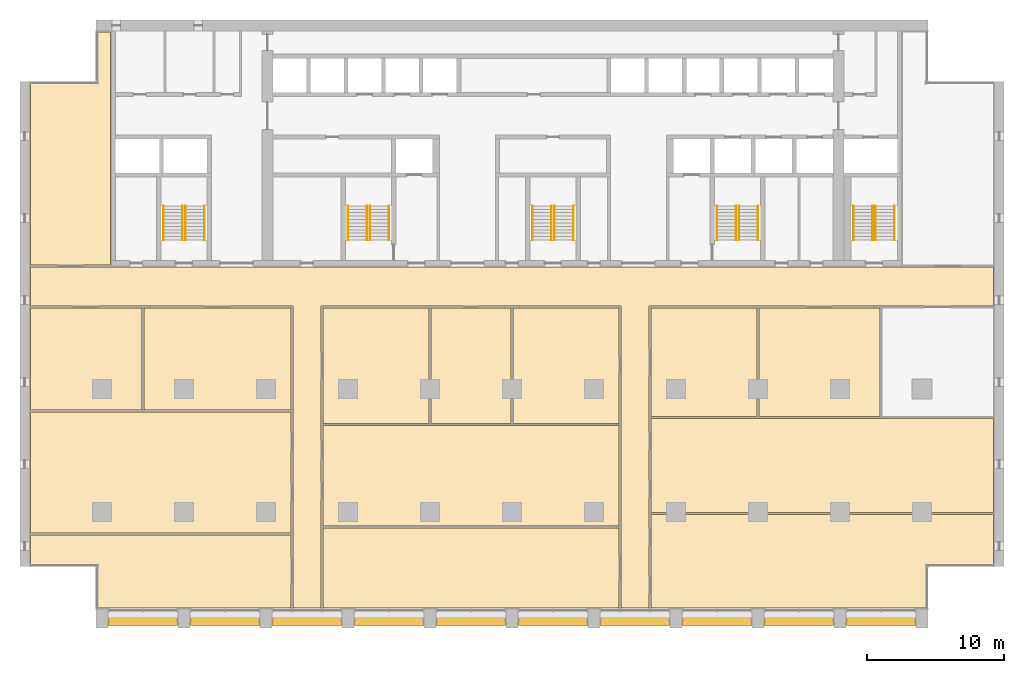
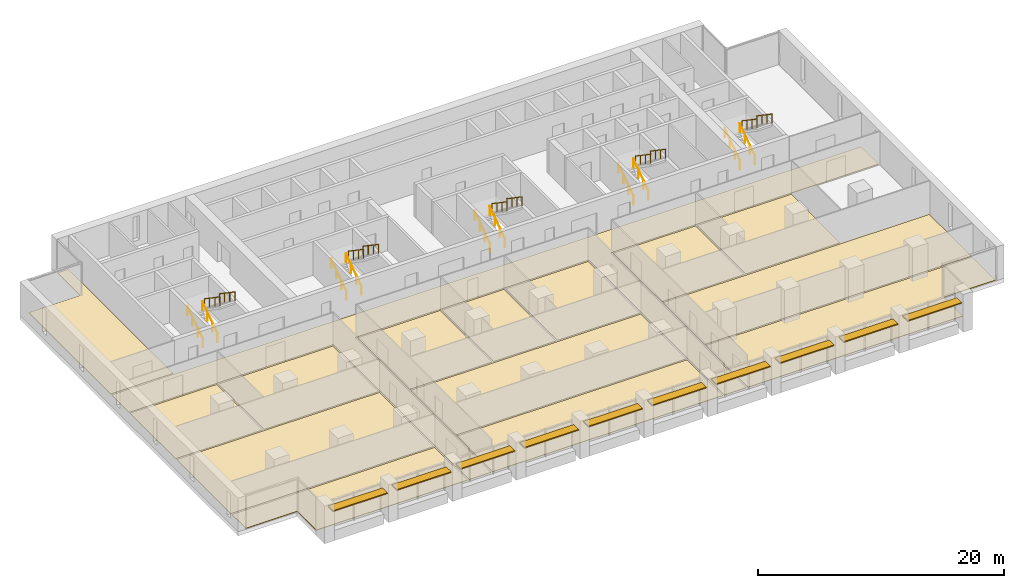
# One storey, part 16 of 17: 20 railings, 15 coverings, 10 shading devices, 5 elements without a shape of their own.
"""IFC4 building model written with IfcOpenShell, lengths in metres."""

from ifc_helpers import new_model, si_unit, direction, frame, origin, origin_2d, place, context, subcontext, project, spatial, polyline, rectangle, circle, outline, extrude, material, layer, layer_set, material_profile, profile_set, type_object, element, aggregate, save


model = new_model("IFC4")

# Units and contexts
model_context = context("Model", 3, precision=1e-05, world=origin(), true_north=direction((0.0, 1.0)))
body_context = subcontext(model_context, "Body", "Model", "MODEL_VIEW")
ifc_project = project(units=[si_unit("LENGTHUNIT", "METRE"), si_unit("AREAUNIT", "SQUARE_METRE"), si_unit("VOLUMEUNIT", "CUBIC_METRE"), si_unit("PLANEANGLEUNIT", "RADIAN"), si_unit("MASSUNIT", "GRAM", prefix="KILO")], contexts=[model_context])

# Site, building, storey
site_placement = place(None, origin())
site = spatial("IfcSite", under=ifc_project, at=site_placement, CompositionType="ELEMENT")
building_placement = place(site_placement, origin())
building = spatial("IfcBuilding", under=site, at=building_placement, Name="Calvaro Tower", CompositionType="ELEMENT")
storey_placement = place(building_placement, frame((0.0, 0.0, 98.75)))
storey = spatial("IfcBuildingStorey", under=building, at=storey_placement, Name="L24", CompositionType="ELEMENT", Elevation=98.75)

# Shading devices
ifc_material_1 = material(Name="Anodised aluminium", Category="aluminium")
ifc_material_profile = material_profile(ifc_material_1, rectangle(XDim=0.800048828125, YDim=0.10009765625, at=origin_2d()), Name="Brise-soleil blade 800 x 100")
ifc_profile_set = profile_set([ifc_material_profile], Name="Anodised aluminium")
shading_device_type = type_object("IfcShadingDeviceType", Name="Brise-soleil blade 800 x 100", PredefinedType="JALOUSIE", material=ifc_profile_set)
for number, where, z_axis, x_axis, name in (
    (1, (6.449951171875, 2.10009765625, 2.39990234375), (1.0, 0.0, 0.0), (0.0, 1.0, 0.0), "Brise-soleil blade 1"),
    (2, (12.449951171875, 2.10009765625, 2.39990234375), (1.0, 0.0, 0.0), (0.0, 1.0, 0.0), "Brise-soleil blade 2"),
    (3, (18.449951171875, 2.10009765625, 2.39990234375), (1.0, 0.0, 0.0), (0.0, 1.0, 0.0), "Brise-soleil blade 3"),
    (4, (24.449951171875, 2.10009765625, 2.39990234375), (1.0, 0.0, 0.0), (0.0, 1.0, 0.0), "Brise-soleil blade 4"),
    (5, (30.449951171875, 2.10009765625, 2.39990234375), (1.0, 0.0, 0.0), (0.0, 1.0, 0.0), "Brise-soleil blade 5"),
    (6, (36.449951171875, 2.10009765625, 2.39990234375), (1.0, 0.0, 0.0), (0.0, 1.0, 0.0), "Brise-soleil blade 6"),
    (7, (42.449951171875, 2.10009765625, 2.39990234375), (1.0, 0.0, 0.0), (0.0, 1.0, 0.0), "Brise-soleil blade 7"),
    (8, (48.449951171875, 2.10009765625, 2.39990234375), (1.0, 0.0, 0.0), (0.0, 1.0, 0.0), "Brise-soleil blade 8"),
    (9, (54.449951171875, 2.10009765625, 2.39990234375), (1.0, 0.0, 0.0), (0.0, 1.0, 0.0), "Brise-soleil blade 9"),
    (10, (60.449951171875, 2.10009765625, 2.39990234375), (1.0, 0.0, 0.0), (0.0, 1.0, 0.0), "Brise-soleil blade 10"),
):
    element("IfcShadingDevice", number, at=place(storey_placement, frame(where, z_axis=z_axis, x_axis=x_axis)), inside=storey, type_object=shading_device_type, Name=name, PredefinedType="JALOUSIE", context=body_context, shape_type="SweptSolid", body=[
        extrude(rectangle(XDim=0.800048828125, YDim=0.10009765625, at=origin_2d()), origin(), (0.0, 0.0, 1.0), 5.10009765625),
    ])

# Coverings
ifc_material_2 = material(Name="Cement screed with carpet tile finish")
ifc_layer = layer(ifc_material_2, 0.050048828125)
ifc_layer_set = layer_set([ifc_layer], Name="Cement screed with carpet tile finish")
covering_type = type_object("IfcCoveringType", Name="Floor finish 50", PredefinedType="FLOORING", material=ifc_layer_set)
covering_1_placement = place(storey_placement, origin())
element("IfcCovering", 11, at=covering_1_placement, inside=storey, type_object=covering_type, Name="Floor finish 16.01", PredefinedType="FLOORING", context=body_context, shape_type="SweptSolid", body=[
    extrude(outline(polyline([(19.969970703125, 2.969970703125), (19.969970703125, 25.070068359375), (0.77001953125, 25.070068359375), (0.77001953125, 27.929931640625), (71.22998046875, 27.929931640625), (71.22998046875, 25.070068359375), (46.030029296875, 25.070068359375), (46.030029296875, 2.969970703125), (43.969970703125, 2.969970703125), (43.969970703125, 25.070068359375), (22.030029296875, 25.070068359375), (22.030029296875, 2.969970703125), (19.969970703125, 2.969970703125)])), origin(), (0.0, 0.0, 1.0), 0.050048828125),
])
covering_2_placement = place(storey_placement, origin())
element("IfcCovering", 12, at=covering_2_placement, inside=storey, type_object=covering_type, Name="Floor finish 16.02", PredefinedType="FLOORING", context=body_context, shape_type="SweptSolid", body=[
    extrude(outline(polyline([(19.830078125, 8.330078125), (19.830078125, 2.969970703125), (5.6201171875, 2.969970703125), (5.6201171875, 6.070068359375), (0.77001953125, 6.070068359375), (0.77001953125, 8.330078125), (19.830078125, 8.330078125)])), origin(), (0.0, 0.0, 1.0), 0.050048828125),
])
covering_3_placement = place(storey_placement, origin())
element("IfcCovering", 13, at=covering_3_placement, inside=storey, type_object=covering_type, Name="Floor finish 16.06", PredefinedType="FLOORING", context=body_context, shape_type="SweptSolid", body=[
    extrude(outline(polyline([(19.830078125, 17.330078125), (19.830078125, 8.469970703125), (0.77001953125, 8.469970703125), (0.77001953125, 17.330078125), (19.830078125, 17.330078125)])), origin(), (0.0, 0.0, 1.0), 0.050048828125),
])
covering_4_placement = place(storey_placement, origin())
element("IfcCovering", 14, at=covering_4_placement, inside=storey, type_object=covering_type, Name="Floor finish 16.14", PredefinedType="FLOORING", context=body_context, shape_type="SweptSolid", body=[
    extrude(outline(polyline([(8.929931640625, 24.929931640625), (8.929931640625, 17.469970703125), (0.77001953125, 17.469970703125), (0.77001953125, 24.929931640625), (8.929931640625, 24.929931640625)])), origin(), (0.0, 0.0, 1.0), 0.050048828125),
])
covering_5_placement = place(storey_placement, origin())
element("IfcCovering", 15, at=covering_5_placement, inside=storey, type_object=covering_type, Name="Floor finish 16.15", PredefinedType="FLOORING", context=body_context, shape_type="SweptSolid", body=[
    extrude(outline(polyline([(9.070068359375, 17.469970703125), (9.070068359375, 24.929931640625), (19.830078125, 24.929931640625), (19.830078125, 17.469970703125), (9.070068359375, 17.469970703125)])), origin(), (0.0, 0.0, 1.0), 0.050048828125),
])
covering_6_placement = place(storey_placement, origin())
element("IfcCovering", 16, at=covering_6_placement, inside=storey, type_object=covering_type, Name="Floor finish 16.03", PredefinedType="FLOORING", context=body_context, shape_type="SweptSolid", body=[
    extrude(outline(polyline([(22.169921875, 8.830078125), (43.830078125, 8.830078125), (43.830078125, 2.969970703125), (22.169921875, 2.969970703125), (22.169921875, 8.830078125)])), origin(), (0.0, 0.0, 1.0), 0.050048828125),
])
covering_7_placement = place(storey_placement, origin())
element("IfcCovering", 17, at=covering_7_placement, inside=storey, type_object=covering_type, Name="Floor finish 16.05", PredefinedType="FLOORING", context=body_context, shape_type="SweptSolid", body=[
    extrude(outline(polyline([(22.169921875, 8.969970703125), (22.169921875, 16.330078125), (43.830078125, 16.330078125), (43.830078125, 8.969970703125), (22.169921875, 8.969970703125)])), origin(), (0.0, 0.0, 1.0), 0.050048828125),
])
covering_8_placement = place(storey_placement, origin())
element("IfcCovering", 18, at=covering_8_placement, inside=storey, type_object=covering_type, Name="Floor finish 16.08", PredefinedType="FLOORING", context=body_context, shape_type="SweptSolid", body=[
    extrude(outline(polyline([(22.169921875, 16.469970703125), (22.169921875, 24.929931640625), (29.929931640625, 24.929931640625), (29.929931640625, 16.469970703125), (22.169921875, 16.469970703125)])), origin(), (0.0, 0.0, 1.0), 0.050048828125),
])
covering_9_placement = place(storey_placement, origin())
element("IfcCovering", 19, at=covering_9_placement, inside=storey, type_object=covering_type, Name="Floor finish 16.09", PredefinedType="FLOORING", context=body_context, shape_type="SweptSolid", body=[
    extrude(outline(polyline([(30.070068359375, 16.469970703125), (30.070068359375, 24.929931640625), (35.929931640625, 24.929931640625), (35.929931640625, 16.469970703125), (30.070068359375, 16.469970703125)])), origin(), (0.0, 0.0, 1.0), 0.050048828125),
])
covering_10_placement = place(storey_placement, origin())
element("IfcCovering", 20, at=covering_10_placement, inside=storey, type_object=covering_type, Name="Floor finish 16.10", PredefinedType="FLOORING", context=body_context, shape_type="SweptSolid", body=[
    extrude(outline(polyline([(36.070068359375, 16.469970703125), (36.070068359375, 24.929931640625), (43.830078125, 24.929931640625), (43.830078125, 16.469970703125), (36.070068359375, 16.469970703125)])), origin(), (0.0, 0.0, 1.0), 0.050048828125),
])
covering_11_placement = place(storey_placement, origin())
element("IfcCovering", 21, at=covering_11_placement, inside=storey, type_object=covering_type, Name="Floor finish 16.04", PredefinedType="FLOORING", context=body_context, shape_type="SweptSolid", body=[
    extrude(outline(polyline([(71.22998046875, 6.070068359375), (66.3798828125, 6.070068359375), (66.3798828125, 2.969970703125), (46.169921875, 2.969970703125), (46.169921875, 9.830078125), (71.22998046875, 9.830078125), (71.22998046875, 6.070068359375)])), origin(), (0.0, 0.0, 1.0), 0.050048828125),
])
covering_12_placement = place(storey_placement, origin())
element("IfcCovering", 22, at=covering_12_placement, inside=storey, type_object=covering_type, Name="Floor finish 16.07", PredefinedType="FLOORING", context=body_context, shape_type="SweptSolid", body=[
    extrude(outline(polyline([(71.22998046875, 9.969970703125), (46.169921875, 9.969970703125), (46.169921875, 16.830078125), (71.22998046875, 16.830078125), (71.22998046875, 9.969970703125)])), origin(), (0.0, 0.0, 1.0), 0.050048828125),
])
covering_13_placement = place(storey_placement, origin())
element("IfcCovering", 23, at=covering_13_placement, inside=storey, type_object=covering_type, Name="Floor finish 16.11", PredefinedType="FLOORING", context=body_context, shape_type="SweptSolid", body=[
    extrude(outline(polyline([(46.169921875, 16.969970703125), (46.169921875, 24.929931640625), (53.929931640625, 24.929931640625), (53.929931640625, 16.969970703125), (46.169921875, 16.969970703125)])), origin(), (0.0, 0.0, 1.0), 0.050048828125),
])
covering_14_placement = place(storey_placement, origin())
element("IfcCovering", 24, at=covering_14_placement, inside=storey, type_object=covering_type, Name="Floor finish 16.12", PredefinedType="FLOORING", context=body_context, shape_type="SweptSolid", body=[
    extrude(outline(polyline([(54.070068359375, 16.969970703125), (54.070068359375, 24.929931640625), (62.929931640625, 24.929931640625), (62.929931640625, 16.969970703125), (54.070068359375, 16.969970703125)])), origin(), (0.0, 0.0, 1.0), 0.050048828125),
])
covering_15_placement = place(storey_placement, origin())
element("IfcCovering", 25, at=covering_15_placement, inside=storey, type_object=covering_type, Name="Floor finish 16.16", PredefinedType="FLOORING", context=body_context, shape_type="SweptSolid", body=[
    extrude(outline(polyline([(6.6298828125, 28.070068359375), (0.77001953125, 28.070068359375), (0.77001953125, 41.429931640625), (5.6201171875, 41.429931640625), (5.6201171875, 45.1298828125), (6.6298828125, 45.1298828125), (6.6298828125, 28.070068359375)])), origin(), (0.0, 0.0, 1.0), 0.050048828125),
])

# Stair, railings
ifc_material_3 = material(Name="Concrete C40/50", Category="concrete")
stair_type = type_object("IfcStairType", Name="Exit stair 1400 2 flights", PredefinedType="HALF_TURN_STAIR", material=ifc_material_3)
stair_1_placement = place(storey_placement, origin())
stair_1 = element("IfcStair", 26, at=stair_1_placement, inside=storey, type_object=stair_type, Name="Exit stair S1", PredefinedType="HALF_TURN_STAIR")
ifc_material_4 = material(Name="Stainless steel", Category="steel")
railing_type = type_object("IfcRailingType", Name="Stair handrail", PredefinedType="HANDRAIL", material=ifc_material_4)
railing_1_placement = place(storey_placement, frame((11.89990234375, 29.89990234375, 0.17041015625)))
railing_1 = element("IfcRailing", 27, at=railing_1_placement, type_object=railing_type, Name="Exit stair 1 handrail", PredefinedType="HANDRAIL", context=body_context, shape_type="SweptSolid", body=[
    extrude(circle(Radius=0.02392578125, at=origin_2d()), frame((0.0, 0.0, 0.8759765625), z_axis=(0.0, 0.826220514629, 0.563346839174), x_axis=(-1.0, 0.0, 0.0)), (0.0, 0.0, 1.0), 3.02587890625),
    extrude(circle(Radius=0.02099609375, at=origin_2d()), frame((0.0, 0.017333984375, 0.01171875)), (0.0, 0.0, 1.0), 0.851806640625),
    extrude(circle(Radius=0.02099609375, at=origin_2d()), frame((0.0, 0.833251953125, 0.568115234375)), (0.0, 0.0, 1.0), 0.851806640625),
    extrude(circle(Radius=0.02099609375, at=origin_2d()), frame((0.0, 1.666748046875, 1.136474609375)), (0.0, 0.0, 1.0), 0.851806640625),
    extrude(circle(Radius=0.02099609375, at=origin_2d()), frame((0.0, 2.482666015625, 1.69287109375)), (0.0, 0.0, 1.0), 0.851806640625),
])
railing_2_placement = place(storey_placement, frame((10.5, 29.89990234375, 0.17041015625)))
railing_2 = element("IfcRailing", 28, at=railing_2_placement, type_object=railing_type, Name="Exit stair 1 handrail", PredefinedType="HANDRAIL", context=body_context, shape_type="SweptSolid", body=[
    extrude(circle(Radius=0.02392578125, at=origin_2d()), frame((0.0, 0.0, 0.8759765625), z_axis=(0.0, 0.826220514629, 0.563346839174), x_axis=(-1.0, 0.0, 0.0)), (0.0, 0.0, 1.0), 3.02587890625),
    extrude(circle(Radius=0.02099609375, at=origin_2d()), frame((0.0, 0.017333984375, 0.01171875)), (0.0, 0.0, 1.0), 0.851806640625),
    extrude(circle(Radius=0.02099609375, at=origin_2d()), frame((0.0, 0.833251953125, 0.568115234375)), (0.0, 0.0, 1.0), 0.851806640625),
    extrude(circle(Radius=0.02099609375, at=origin_2d()), frame((0.0, 1.666748046875, 1.136474609375)), (0.0, 0.0, 1.0), 0.851806640625),
    extrude(circle(Radius=0.02099609375, at=origin_2d()), frame((0.0, 2.482666015625, 1.69287109375)), (0.0, 0.0, 1.0), 0.851806640625),
])
railing_3_placement = place(storey_placement, frame((12.10009765625, 32.39990234375, 2.04541015625)))
railing_3 = element("IfcRailing", 29, at=railing_3_placement, type_object=railing_type, Name="Exit stair 1 handrail", PredefinedType="HANDRAIL", context=body_context, shape_type="SweptSolid", body=[
    extrude(circle(Radius=0.02392578125, at=origin_2d()), frame((0.0, 0.0, 0.8759765625), z_axis=(0.0, -0.826220514629, 0.563346839174), x_axis=(1.0, 0.0, 0.0)), (0.0, 0.0, 1.0), 3.02587890625),
    extrude(circle(Radius=0.02099609375, at=origin_2d()), frame((0.0, -0.017333984375, 0.01171875)), (0.0, 0.0, 1.0), 0.851806640625),
    extrude(circle(Radius=0.02099609375, at=origin_2d()), frame((0.0, -0.833251953125, 0.568115234375)), (0.0, 0.0, 1.0), 0.851806640625),
    extrude(circle(Radius=0.02099609375, at=origin_2d()), frame((0.0, -1.666748046875, 1.136474609375)), (0.0, 0.0, 1.0), 0.851806640625),
    extrude(circle(Radius=0.02099609375, at=origin_2d()), frame((0.0, -2.482666015625, 1.69287109375)), (0.0, 0.0, 1.0), 0.851806640625),
])
railing_4_placement = place(storey_placement, frame((13.5, 32.39990234375, 2.04541015625)))
railing_4 = element("IfcRailing", 30, at=railing_4_placement, type_object=railing_type, Name="Exit stair 1 handrail", PredefinedType="HANDRAIL", context=body_context, shape_type="SweptSolid", body=[
    extrude(circle(Radius=0.02392578125, at=origin_2d()), frame((0.0, 0.0, 0.8759765625), z_axis=(0.0, -0.826220514629, 0.563346839174), x_axis=(1.0, 0.0, 0.0)), (0.0, 0.0, 1.0), 3.02587890625),
    extrude(circle(Radius=0.02099609375, at=origin_2d()), frame((0.0, -0.017333984375, 0.01171875)), (0.0, 0.0, 1.0), 0.851806640625),
    extrude(circle(Radius=0.02099609375, at=origin_2d()), frame((0.0, -0.833251953125, 0.568115234375)), (0.0, 0.0, 1.0), 0.851806640625),
    extrude(circle(Radius=0.02099609375, at=origin_2d()), frame((0.0, -1.666748046875, 1.136474609375)), (0.0, 0.0, 1.0), 0.851806640625),
    extrude(circle(Radius=0.02099609375, at=origin_2d()), frame((0.0, -2.482666015625, 1.69287109375)), (0.0, 0.0, 1.0), 0.851806640625),
])
aggregate(stair_1, [railing_1, railing_2, railing_3, railing_4])

stair_2_placement = place(storey_placement, origin())
stair_2 = element("IfcStair", 31, at=stair_2_placement, inside=storey, type_object=stair_type, Name="Exit stair S2", PredefinedType="HALF_TURN_STAIR")
railing_5_placement = place(storey_placement, frame((25.39990234375, 29.89990234375, 0.17041015625)))
railing_5 = element("IfcRailing", 32, at=railing_5_placement, type_object=railing_type, Name="Exit stair 2 handrail", PredefinedType="HANDRAIL", context=body_context, shape_type="SweptSolid", body=[
    extrude(circle(Radius=0.02392578125, at=origin_2d()), frame((0.0, 0.0, 0.8759765625), z_axis=(0.0, 0.826220514629, 0.563346839174), x_axis=(-1.0, 0.0, 0.0)), (0.0, 0.0, 1.0), 3.02587890625),
    extrude(circle(Radius=0.02099609375, at=origin_2d()), frame((0.0, 0.017333984375, 0.01171875)), (0.0, 0.0, 1.0), 0.851806640625),
    extrude(circle(Radius=0.02099609375, at=origin_2d()), frame((0.0, 0.833251953125, 0.568115234375)), (0.0, 0.0, 1.0), 0.851806640625),
    extrude(circle(Radius=0.02099609375, at=origin_2d()), frame((0.0, 1.666748046875, 1.136474609375)), (0.0, 0.0, 1.0), 0.851806640625),
    extrude(circle(Radius=0.02099609375, at=origin_2d()), frame((0.0, 2.482666015625, 1.69287109375)), (0.0, 0.0, 1.0), 0.851806640625),
])
railing_6_placement = place(storey_placement, frame((24.0, 29.89990234375, 0.17041015625)))
railing_6 = element("IfcRailing", 33, at=railing_6_placement, type_object=railing_type, Name="Exit stair 2 handrail", PredefinedType="HANDRAIL", context=body_context, shape_type="SweptSolid", body=[
    extrude(circle(Radius=0.02392578125, at=origin_2d()), frame((0.0, 0.0, 0.8759765625), z_axis=(0.0, 0.826220514629, 0.563346839174), x_axis=(-1.0, 0.0, 0.0)), (0.0, 0.0, 1.0), 3.02587890625),
    extrude(circle(Radius=0.02099609375, at=origin_2d()), frame((0.0, 0.017333984375, 0.01171875)), (0.0, 0.0, 1.0), 0.851806640625),
    extrude(circle(Radius=0.02099609375, at=origin_2d()), frame((0.0, 0.833251953125, 0.568115234375)), (0.0, 0.0, 1.0), 0.851806640625),
    extrude(circle(Radius=0.02099609375, at=origin_2d()), frame((0.0, 1.666748046875, 1.136474609375)), (0.0, 0.0, 1.0), 0.851806640625),
    extrude(circle(Radius=0.02099609375, at=origin_2d()), frame((0.0, 2.482666015625, 1.69287109375)), (0.0, 0.0, 1.0), 0.851806640625),
])
railing_7_placement = place(storey_placement, frame((25.60009765625, 32.39990234375, 2.04541015625)))
railing_7 = element("IfcRailing", 34, at=railing_7_placement, type_object=railing_type, Name="Exit stair 2 handrail", PredefinedType="HANDRAIL", context=body_context, shape_type="SweptSolid", body=[
    extrude(circle(Radius=0.02392578125, at=origin_2d()), frame((0.0, 0.0, 0.8759765625), z_axis=(0.0, -0.826220514629, 0.563346839174), x_axis=(1.0, 0.0, 0.0)), (0.0, 0.0, 1.0), 3.02587890625),
    extrude(circle(Radius=0.02099609375, at=origin_2d()), frame((0.0, -0.017333984375, 0.01171875)), (0.0, 0.0, 1.0), 0.851806640625),
    extrude(circle(Radius=0.02099609375, at=origin_2d()), frame((0.0, -0.833251953125, 0.568115234375)), (0.0, 0.0, 1.0), 0.851806640625),
    extrude(circle(Radius=0.02099609375, at=origin_2d()), frame((0.0, -1.666748046875, 1.136474609375)), (0.0, 0.0, 1.0), 0.851806640625),
    extrude(circle(Radius=0.02099609375, at=origin_2d()), frame((0.0, -2.482666015625, 1.69287109375)), (0.0, 0.0, 1.0), 0.851806640625),
])
railing_8_placement = place(storey_placement, frame((27.0, 32.39990234375, 2.04541015625)))
railing_8 = element("IfcRailing", 35, at=railing_8_placement, type_object=railing_type, Name="Exit stair 2 handrail", PredefinedType="HANDRAIL", context=body_context, shape_type="SweptSolid", body=[
    extrude(circle(Radius=0.02392578125, at=origin_2d()), frame((0.0, 0.0, 0.8759765625), z_axis=(0.0, -0.826220514629, 0.563346839174), x_axis=(1.0, 0.0, 0.0)), (0.0, 0.0, 1.0), 3.02587890625),
    extrude(circle(Radius=0.02099609375, at=origin_2d()), frame((0.0, -0.017333984375, 0.01171875)), (0.0, 0.0, 1.0), 0.851806640625),
    extrude(circle(Radius=0.02099609375, at=origin_2d()), frame((0.0, -0.833251953125, 0.568115234375)), (0.0, 0.0, 1.0), 0.851806640625),
    extrude(circle(Radius=0.02099609375, at=origin_2d()), frame((0.0, -1.666748046875, 1.136474609375)), (0.0, 0.0, 1.0), 0.851806640625),
    extrude(circle(Radius=0.02099609375, at=origin_2d()), frame((0.0, -2.482666015625, 1.69287109375)), (0.0, 0.0, 1.0), 0.851806640625),
])
aggregate(stair_2, [railing_5, railing_6, railing_7, railing_8])

stair_3_placement = place(storey_placement, origin())
stair_3 = element("IfcStair", 36, at=stair_3_placement, inside=storey, type_object=stair_type, Name="Exit stair S3", PredefinedType="HALF_TURN_STAIR")
railing_9_placement = place(storey_placement, frame((38.89990234375, 29.89990234375, 0.17041015625)))
railing_9 = element("IfcRailing", 37, at=railing_9_placement, type_object=railing_type, Name="Exit stair 3 handrail", PredefinedType="HANDRAIL", context=body_context, shape_type="SweptSolid", body=[
    extrude(circle(Radius=0.02392578125, at=origin_2d()), frame((0.0, 0.0, 0.8759765625), z_axis=(0.0, 0.826220514629, 0.563346839174), x_axis=(-1.0, 0.0, 0.0)), (0.0, 0.0, 1.0), 3.02587890625),
    extrude(circle(Radius=0.02099609375, at=origin_2d()), frame((0.0, 0.017333984375, 0.01171875)), (0.0, 0.0, 1.0), 0.851806640625),
    extrude(circle(Radius=0.02099609375, at=origin_2d()), frame((0.0, 0.833251953125, 0.568115234375)), (0.0, 0.0, 1.0), 0.851806640625),
    extrude(circle(Radius=0.02099609375, at=origin_2d()), frame((0.0, 1.666748046875, 1.136474609375)), (0.0, 0.0, 1.0), 0.851806640625),
    extrude(circle(Radius=0.02099609375, at=origin_2d()), frame((0.0, 2.482666015625, 1.69287109375)), (0.0, 0.0, 1.0), 0.851806640625),
])
railing_10_placement = place(storey_placement, frame((37.5, 29.89990234375, 0.17041015625)))
railing_10 = element("IfcRailing", 38, at=railing_10_placement, type_object=railing_type, Name="Exit stair 3 handrail", PredefinedType="HANDRAIL", context=body_context, shape_type="SweptSolid", body=[
    extrude(circle(Radius=0.02392578125, at=origin_2d()), frame((0.0, 0.0, 0.8759765625), z_axis=(0.0, 0.826220514629, 0.563346839174), x_axis=(-1.0, 0.0, 0.0)), (0.0, 0.0, 1.0), 3.02587890625),
    extrude(circle(Radius=0.02099609375, at=origin_2d()), frame((0.0, 0.017333984375, 0.01171875)), (0.0, 0.0, 1.0), 0.851806640625),
    extrude(circle(Radius=0.02099609375, at=origin_2d()), frame((0.0, 0.833251953125, 0.568115234375)), (0.0, 0.0, 1.0), 0.851806640625),
    extrude(circle(Radius=0.02099609375, at=origin_2d()), frame((0.0, 1.666748046875, 1.136474609375)), (0.0, 0.0, 1.0), 0.851806640625),
    extrude(circle(Radius=0.02099609375, at=origin_2d()), frame((0.0, 2.482666015625, 1.69287109375)), (0.0, 0.0, 1.0), 0.851806640625),
])
railing_11_placement = place(storey_placement, frame((39.10009765625, 32.39990234375, 2.04541015625)))
railing_11 = element("IfcRailing", 39, at=railing_11_placement, type_object=railing_type, Name="Exit stair 3 handrail", PredefinedType="HANDRAIL", context=body_context, shape_type="SweptSolid", body=[
    extrude(circle(Radius=0.02392578125, at=origin_2d()), frame((0.0, 0.0, 0.8759765625), z_axis=(0.0, -0.826220514629, 0.563346839174), x_axis=(1.0, 0.0, 0.0)), (0.0, 0.0, 1.0), 3.02587890625),
    extrude(circle(Radius=0.02099609375, at=origin_2d()), frame((0.0, -0.017333984375, 0.01171875)), (0.0, 0.0, 1.0), 0.851806640625),
    extrude(circle(Radius=0.02099609375, at=origin_2d()), frame((0.0, -0.833251953125, 0.568115234375)), (0.0, 0.0, 1.0), 0.851806640625),
    extrude(circle(Radius=0.02099609375, at=origin_2d()), frame((0.0, -1.666748046875, 1.136474609375)), (0.0, 0.0, 1.0), 0.851806640625),
    extrude(circle(Radius=0.02099609375, at=origin_2d()), frame((0.0, -2.482666015625, 1.69287109375)), (0.0, 0.0, 1.0), 0.851806640625),
])
railing_12_placement = place(storey_placement, frame((40.5, 32.39990234375, 2.04541015625)))
railing_12 = element("IfcRailing", 40, at=railing_12_placement, type_object=railing_type, Name="Exit stair 3 handrail", PredefinedType="HANDRAIL", context=body_context, shape_type="SweptSolid", body=[
    extrude(circle(Radius=0.02392578125, at=origin_2d()), frame((0.0, 0.0, 0.8759765625), z_axis=(0.0, -0.826220514629, 0.563346839174), x_axis=(1.0, 0.0, 0.0)), (0.0, 0.0, 1.0), 3.02587890625),
    extrude(circle(Radius=0.02099609375, at=origin_2d()), frame((0.0, -0.017333984375, 0.01171875)), (0.0, 0.0, 1.0), 0.851806640625),
    extrude(circle(Radius=0.02099609375, at=origin_2d()), frame((0.0, -0.833251953125, 0.568115234375)), (0.0, 0.0, 1.0), 0.851806640625),
    extrude(circle(Radius=0.02099609375, at=origin_2d()), frame((0.0, -1.666748046875, 1.136474609375)), (0.0, 0.0, 1.0), 0.851806640625),
    extrude(circle(Radius=0.02099609375, at=origin_2d()), frame((0.0, -2.482666015625, 1.69287109375)), (0.0, 0.0, 1.0), 0.851806640625),
])
aggregate(stair_3, [railing_9, railing_10, railing_11, railing_12])

stair_4_placement = place(storey_placement, origin())
stair_4 = element("IfcStair", 41, at=stair_4_placement, inside=storey, type_object=stair_type, Name="Exit stair S4", PredefinedType="HALF_TURN_STAIR")
railing_13_placement = place(storey_placement, frame((52.39990234375, 29.89990234375, 0.17041015625)))
railing_13 = element("IfcRailing", 42, at=railing_13_placement, type_object=railing_type, Name="Exit stair 4 handrail", PredefinedType="HANDRAIL", context=body_context, shape_type="SweptSolid", body=[
    extrude(circle(Radius=0.02392578125, at=origin_2d()), frame((0.0, 0.0, 0.8759765625), z_axis=(0.0, 0.826220514629, 0.563346839174), x_axis=(-1.0, 0.0, 0.0)), (0.0, 0.0, 1.0), 3.02587890625),
    extrude(circle(Radius=0.02099609375, at=origin_2d()), frame((0.0, 0.017333984375, 0.01171875)), (0.0, 0.0, 1.0), 0.851806640625),
    extrude(circle(Radius=0.02099609375, at=origin_2d()), frame((0.0, 0.833251953125, 0.568115234375)), (0.0, 0.0, 1.0), 0.851806640625),
    extrude(circle(Radius=0.02099609375, at=origin_2d()), frame((0.0, 1.666748046875, 1.136474609375)), (0.0, 0.0, 1.0), 0.851806640625),
    extrude(circle(Radius=0.02099609375, at=origin_2d()), frame((0.0, 2.482666015625, 1.69287109375)), (0.0, 0.0, 1.0), 0.851806640625),
])
railing_14_placement = place(storey_placement, frame((51.0, 29.89990234375, 0.17041015625)))
railing_14 = element("IfcRailing", 43, at=railing_14_placement, type_object=railing_type, Name="Exit stair 4 handrail", PredefinedType="HANDRAIL", context=body_context, shape_type="SweptSolid", body=[
    extrude(circle(Radius=0.02392578125, at=origin_2d()), frame((0.0, 0.0, 0.8759765625), z_axis=(0.0, 0.826220514629, 0.563346839174), x_axis=(-1.0, 0.0, 0.0)), (0.0, 0.0, 1.0), 3.02587890625),
    extrude(circle(Radius=0.02099609375, at=origin_2d()), frame((0.0, 0.017333984375, 0.01171875)), (0.0, 0.0, 1.0), 0.851806640625),
    extrude(circle(Radius=0.02099609375, at=origin_2d()), frame((0.0, 0.833251953125, 0.568115234375)), (0.0, 0.0, 1.0), 0.851806640625),
    extrude(circle(Radius=0.02099609375, at=origin_2d()), frame((0.0, 1.666748046875, 1.136474609375)), (0.0, 0.0, 1.0), 0.851806640625),
    extrude(circle(Radius=0.02099609375, at=origin_2d()), frame((0.0, 2.482666015625, 1.69287109375)), (0.0, 0.0, 1.0), 0.851806640625),
])
railing_15_placement = place(storey_placement, frame((52.60009765625, 32.39990234375, 2.04541015625)))
railing_15 = element("IfcRailing", 44, at=railing_15_placement, type_object=railing_type, Name="Exit stair 4 handrail", PredefinedType="HANDRAIL", context=body_context, shape_type="SweptSolid", body=[
    extrude(circle(Radius=0.02392578125, at=origin_2d()), frame((0.0, 0.0, 0.8759765625), z_axis=(0.0, -0.826220514629, 0.563346839174), x_axis=(1.0, 0.0, 0.0)), (0.0, 0.0, 1.0), 3.02587890625),
    extrude(circle(Radius=0.02099609375, at=origin_2d()), frame((0.0, -0.017333984375, 0.01171875)), (0.0, 0.0, 1.0), 0.851806640625),
    extrude(circle(Radius=0.02099609375, at=origin_2d()), frame((0.0, -0.833251953125, 0.568115234375)), (0.0, 0.0, 1.0), 0.851806640625),
    extrude(circle(Radius=0.02099609375, at=origin_2d()), frame((0.0, -1.666748046875, 1.136474609375)), (0.0, 0.0, 1.0), 0.851806640625),
    extrude(circle(Radius=0.02099609375, at=origin_2d()), frame((0.0, -2.482666015625, 1.69287109375)), (0.0, 0.0, 1.0), 0.851806640625),
])
railing_16_placement = place(storey_placement, frame((54.0, 32.39990234375, 2.04541015625)))
railing_16 = element("IfcRailing", 45, at=railing_16_placement, type_object=railing_type, Name="Exit stair 4 handrail", PredefinedType="HANDRAIL", context=body_context, shape_type="SweptSolid", body=[
    extrude(circle(Radius=0.02392578125, at=origin_2d()), frame((0.0, 0.0, 0.8759765625), z_axis=(0.0, -0.826220514629, 0.563346839174), x_axis=(1.0, 0.0, 0.0)), (0.0, 0.0, 1.0), 3.02587890625),
    extrude(circle(Radius=0.02099609375, at=origin_2d()), frame((0.0, -0.017333984375, 0.01171875)), (0.0, 0.0, 1.0), 0.851806640625),
    extrude(circle(Radius=0.02099609375, at=origin_2d()), frame((0.0, -0.833251953125, 0.568115234375)), (0.0, 0.0, 1.0), 0.851806640625),
    extrude(circle(Radius=0.02099609375, at=origin_2d()), frame((0.0, -1.666748046875, 1.136474609375)), (0.0, 0.0, 1.0), 0.851806640625),
    extrude(circle(Radius=0.02099609375, at=origin_2d()), frame((0.0, -2.482666015625, 1.69287109375)), (0.0, 0.0, 1.0), 0.851806640625),
])
aggregate(stair_4, [railing_13, railing_14, railing_15, railing_16])

stair_5_placement = place(storey_placement, origin())
stair_5 = element("IfcStair", 46, at=stair_5_placement, inside=storey, type_object=stair_type, Name="Exit stair S5", PredefinedType="HALF_TURN_STAIR")
railing_17_placement = place(storey_placement, frame((62.39990234375, 29.89990234375, 0.17041015625)))
railing_17 = element("IfcRailing", 47, at=railing_17_placement, type_object=railing_type, Name="Exit stair 5 handrail", PredefinedType="HANDRAIL", context=body_context, shape_type="SweptSolid", body=[
    extrude(circle(Radius=0.02392578125, at=origin_2d()), frame((0.0, 0.0, 0.8759765625), z_axis=(0.0, 0.826220514629, 0.563346839174), x_axis=(-1.0, 0.0, 0.0)), (0.0, 0.0, 1.0), 3.02587890625),
    extrude(circle(Radius=0.02099609375, at=origin_2d()), frame((0.0, 0.017333984375, 0.01171875)), (0.0, 0.0, 1.0), 0.851806640625),
    extrude(circle(Radius=0.02099609375, at=origin_2d()), frame((0.0, 0.833251953125, 0.568115234375)), (0.0, 0.0, 1.0), 0.851806640625),
    extrude(circle(Radius=0.02099609375, at=origin_2d()), frame((0.0, 1.666748046875, 1.136474609375)), (0.0, 0.0, 1.0), 0.851806640625),
    extrude(circle(Radius=0.02099609375, at=origin_2d()), frame((0.0, 2.482666015625, 1.69287109375)), (0.0, 0.0, 1.0), 0.851806640625),
])
railing_18_placement = place(storey_placement, frame((61.0, 29.89990234375, 0.17041015625)))
railing_18 = element("IfcRailing", 48, at=railing_18_placement, type_object=railing_type, Name="Exit stair 5 handrail", PredefinedType="HANDRAIL", context=body_context, shape_type="SweptSolid", body=[
    extrude(circle(Radius=0.02392578125, at=origin_2d()), frame((0.0, 0.0, 0.8759765625), z_axis=(0.0, 0.826220514629, 0.563346839174), x_axis=(-1.0, 0.0, 0.0)), (0.0, 0.0, 1.0), 3.02587890625),
    extrude(circle(Radius=0.02099609375, at=origin_2d()), frame((0.0, 0.017333984375, 0.01171875)), (0.0, 0.0, 1.0), 0.851806640625),
    extrude(circle(Radius=0.02099609375, at=origin_2d()), frame((0.0, 0.833251953125, 0.568115234375)), (0.0, 0.0, 1.0), 0.851806640625),
    extrude(circle(Radius=0.02099609375, at=origin_2d()), frame((0.0, 1.666748046875, 1.136474609375)), (0.0, 0.0, 1.0), 0.851806640625),
    extrude(circle(Radius=0.02099609375, at=origin_2d()), frame((0.0, 2.482666015625, 1.69287109375)), (0.0, 0.0, 1.0), 0.851806640625),
])
railing_19_placement = place(storey_placement, frame((62.60009765625, 32.39990234375, 2.04541015625)))
railing_19 = element("IfcRailing", 49, at=railing_19_placement, type_object=railing_type, Name="Exit stair 5 handrail", PredefinedType="HANDRAIL", context=body_context, shape_type="SweptSolid", body=[
    extrude(circle(Radius=0.02392578125, at=origin_2d()), frame((0.0, 0.0, 0.8759765625), z_axis=(0.0, -0.826220514629, 0.563346839174), x_axis=(1.0, 0.0, 0.0)), (0.0, 0.0, 1.0), 3.02587890625),
    extrude(circle(Radius=0.02099609375, at=origin_2d()), frame((0.0, -0.017333984375, 0.01171875)), (0.0, 0.0, 1.0), 0.851806640625),
    extrude(circle(Radius=0.02099609375, at=origin_2d()), frame((0.0, -0.833251953125, 0.568115234375)), (0.0, 0.0, 1.0), 0.851806640625),
    extrude(circle(Radius=0.02099609375, at=origin_2d()), frame((0.0, -1.666748046875, 1.136474609375)), (0.0, 0.0, 1.0), 0.851806640625),
    extrude(circle(Radius=0.02099609375, at=origin_2d()), frame((0.0, -2.482666015625, 1.69287109375)), (0.0, 0.0, 1.0), 0.851806640625),
])
railing_20_placement = place(storey_placement, frame((64.0, 32.39990234375, 2.04541015625)))
railing_20 = element("IfcRailing", 50, at=railing_20_placement, type_object=railing_type, Name="Exit stair 5 handrail", PredefinedType="HANDRAIL", context=body_context, shape_type="SweptSolid", body=[
    extrude(circle(Radius=0.02392578125, at=origin_2d()), frame((0.0, 0.0, 0.8759765625), z_axis=(0.0, -0.826220514629, 0.563346839174), x_axis=(1.0, 0.0, 0.0)), (0.0, 0.0, 1.0), 3.02587890625),
    extrude(circle(Radius=0.02099609375, at=origin_2d()), frame((0.0, -0.017333984375, 0.01171875)), (0.0, 0.0, 1.0), 0.851806640625),
    extrude(circle(Radius=0.02099609375, at=origin_2d()), frame((0.0, -0.833251953125, 0.568115234375)), (0.0, 0.0, 1.0), 0.851806640625),
    extrude(circle(Radius=0.02099609375, at=origin_2d()), frame((0.0, -1.666748046875, 1.136474609375)), (0.0, 0.0, 1.0), 0.851806640625),
    extrude(circle(Radius=0.02099609375, at=origin_2d()), frame((0.0, -2.482666015625, 1.69287109375)), (0.0, 0.0, 1.0), 0.851806640625),
])
aggregate(stair_5, [railing_17, railing_18, railing_19, railing_20])

save(model, "model.ifc")
